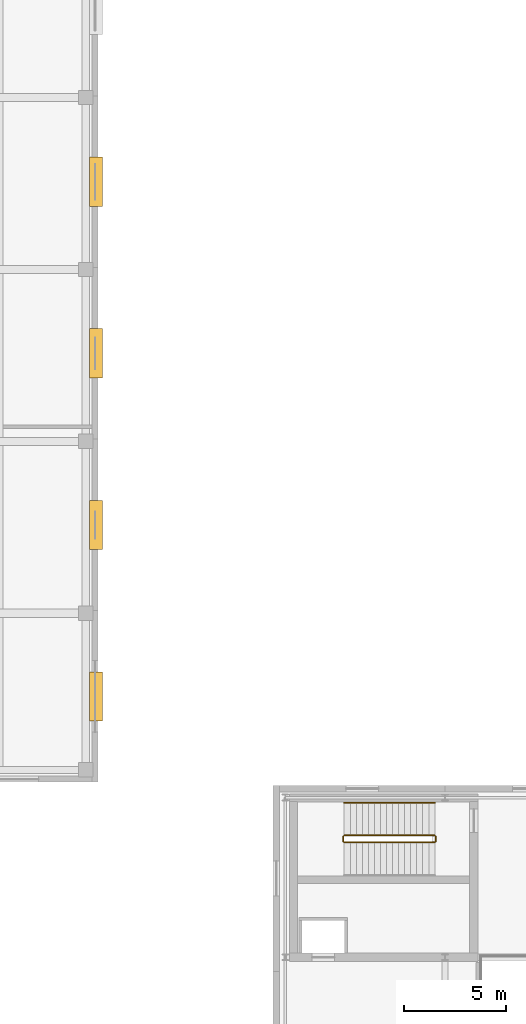
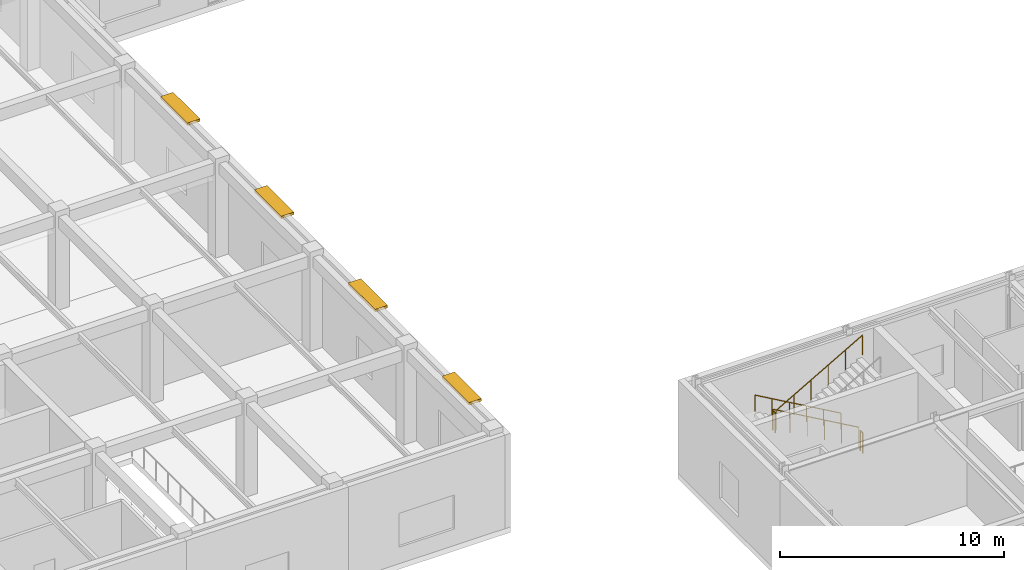
# One storey, part 136 of 139: 5 railings, 4 shading devices.
"""IFC4 building model written with IfcOpenShell, lengths in metres."""

from ifc_helpers import new_model, si_unit, direction, frame, origin, origin_2d, place, context, subcontext, project, spatial, rectangle, circle, extrude, material, type_object, element, save


model = new_model("IFC4")

# Units and contexts
model_context = context("Model", 3, precision=1e-05, world=origin(), true_north=direction((0.0, 1.0)))
body_context = subcontext(model_context, "Body", "Model", "MODEL_VIEW")
ifc_project = project(units=[si_unit("LENGTHUNIT", "METRE"), si_unit("AREAUNIT", "SQUARE_METRE"), si_unit("VOLUMEUNIT", "CUBIC_METRE"), si_unit("PLANEANGLEUNIT", "RADIAN"), si_unit("MASSUNIT", "GRAM", prefix="KILO")], contexts=[model_context])

# Site, building, storey
site_placement = place(None, origin())
site = spatial("IfcSite", under=ifc_project, at=site_placement, CompositionType="ELEMENT")
building_placement = place(site_placement, origin())
building = spatial("IfcBuilding", under=site, at=building_placement, Name="Zayran Congress Hotel", CompositionType="ELEMENT")
storey_placement = place(building_placement, frame((0.0, 0.0, 5.39990234375)))
storey = spatial("IfcBuildingStorey", under=building, at=storey_placement, Name="L01", CompositionType="ELEMENT", Elevation=5.39990234375)

# Shading devices
ifc_material_1 = material(Name="Precast concrete C40/50", Category="concrete")
shading_device_type = type_object("IfcShadingDeviceType", Name="TP-SHD-01", PredefinedType="JALOUSIE", material=ifc_material_1)
for number, where, z_axis, x_axis, name in (
    (1, (142.550048828125, 46.739990234375, 4.9599609375), (0.0, 0.0, 1.0), (0.0, 1.0, 0.0), "Precast Brise Soleil Louvre 1"),
    (2, (142.550048828125, 55.12109375, 4.9599609375), (0.0, 0.0, 1.0), (0.0, 1.0, 0.0), "Precast Brise Soleil Louvre 2"),
    (3, (142.550048828125, 63.5029296875, 4.9599609375), (0.0, 0.0, 1.0), (0.0, 1.0, 0.0), "Precast Brise Soleil Louvre 3"),
    (4, (142.550048828125, 71.885009765625, 4.9599609375), (0.0, 0.0, 1.0), (0.0, 1.0, 0.0), "Precast Brise Soleil Louvre 4"),
):
    element("IfcShadingDevice", number, at=place(storey_placement, frame(where, z_axis=z_axis, x_axis=x_axis)), inside=storey, type_object=shading_device_type, Name=name, PredefinedType="JALOUSIE", context=body_context, shape_type="SweptSolid", body=[
        extrude(rectangle(XDim=2.39990234375, YDim=0.64990234375, at=origin_2d()), origin(), (0.0, 0.0, 1.0), 0.139892578125),
    ])

# Railings
ifc_material_2 = material(Name="Painted steel balustrade", Category="steel")
railing_type_1 = type_object("IfcRailingType", Name="TP-GRD-INT", PredefinedType="GUARDRAIL", material=ifc_material_2)
railing_1_placement = place(storey_placement, frame((159.10009765625, 39.949951171875, 0.1689453125)))
element("IfcRailing", 5, at=railing_1_placement, inside=storey, type_object=railing_type_1, Name="L01 ST-11 stair guard 1", PredefinedType="GUARDRAIL", context=body_context, shape_type="SweptSolid", body=[
    extrude(circle(Radius=0.02392578125, at=origin_2d()), frame((0.0, 0.0, 1.076171875), z_axis=(-0.868019072493, 0.0, 0.49653085482), x_axis=(0.0, -1.0, 0.0)), (0.0, 0.0, 1.0), 5.097900390625),
    extrude(circle(Radius=0.02099609375, at=origin_2d()), origin(), (0.0, 0.0, 1.0), 1.052001953125),
    extrude(circle(Radius=0.02099609375, at=origin_2d()), frame((-0.885009765625, 0.0, 0.50634765625)), (0.0, 0.0, 1.0), 1.052001953125),
    extrude(circle(Radius=0.02099609375, at=origin_2d()), frame((-1.77001953125, 0.0, 1.012451171875)), (0.0, 0.0, 1.0), 1.052001953125),
    extrude(circle(Radius=0.02099609375, at=origin_2d()), frame((-2.655029296875, 0.0, 1.518798828125)), (0.0, 0.0, 1.0), 1.052001953125),
    extrude(circle(Radius=0.02099609375, at=origin_2d()), frame((-3.5400390625, 0.0, 2.02490234375)), (0.0, 0.0, 1.0), 1.052001953125),
    extrude(circle(Radius=0.02099609375, at=origin_2d()), frame((-4.425048828125, 0.0, 2.53125)), (0.0, 0.0, 1.0), 1.052001953125),
])
railing_2_placement = place(storey_placement, frame((154.625, 39.89990234375, 2.7001953125)))
element("IfcRailing", 6, at=railing_2_placement, inside=storey, type_object=railing_type_1, Name="L01 ST-11 stair guard 2", PredefinedType="GUARDRAIL", context=body_context, shape_type="SweptSolid", body=[
    extrude(circle(Radius=0.02392578125, at=origin_2d()), frame((0.0, 0.0, 1.076171875), z_axis=(0.0, -1.0, 0.0), x_axis=(1.0, 0.0, 0.0)), (0.0, 0.0, 1.0), 0.239990234375),
    extrude(circle(Radius=0.02099609375, at=origin_2d()), origin(), (0.0, 0.0, 1.0), 1.052001953125),
    extrude(circle(Radius=0.02099609375, at=origin_2d()), frame((0.0, -0.239990234375, 0.0)), (0.0, 0.0, 1.0), 1.052001953125),
])
railing_3_placement = place(storey_placement, frame((154.675048828125, 39.610107421875, 2.868896484375)))
element("IfcRailing", 7, at=railing_3_placement, inside=storey, type_object=railing_type_1, Name="L01 ST-11 stair guard 3", PredefinedType="GUARDRAIL", context=body_context, shape_type="SweptSolid", body=[
    extrude(circle(Radius=0.02392578125, at=origin_2d()), frame((0.0, 0.0, 1.076171875), z_axis=(0.868019072493, 0.0, 0.49653085482), x_axis=(0.0, 1.0, 0.0)), (0.0, 0.0, 1.0), 5.097900390625),
    extrude(circle(Radius=0.02099609375, at=origin_2d()), origin(), (0.0, 0.0, 1.0), 1.052001953125),
    extrude(circle(Radius=0.02099609375, at=origin_2d()), frame((0.885009765625, 0.0, 0.50634765625)), (0.0, 0.0, 1.0), 1.052001953125),
    extrude(circle(Radius=0.02099609375, at=origin_2d()), frame((1.77001953125, 0.0, 1.012451171875)), (0.0, 0.0, 1.0), 1.052001953125),
    extrude(circle(Radius=0.02099609375, at=origin_2d()), frame((2.655029296875, 0.0, 1.518798828125)), (0.0, 0.0, 1.0), 1.052001953125),
    extrude(circle(Radius=0.02099609375, at=origin_2d()), frame((3.5400390625, 0.0, 2.02490234375)), (0.0, 0.0, 1.0), 1.052001953125),
    extrude(circle(Radius=0.02099609375, at=origin_2d()), frame((4.425048828125, 0.0, 2.53125)), (0.0, 0.0, 1.0), 1.052001953125),
])
railing_4_placement = place(storey_placement, frame((159.14990234375, 39.89990234375, 0.0)))
element("IfcRailing", 8, at=railing_4_placement, inside=storey, type_object=railing_type_1, Name="L01 ST-11 stair guard 4", PredefinedType="GUARDRAIL", context=body_context, shape_type="SweptSolid", body=[
    extrude(circle(Radius=0.02392578125, at=origin_2d()), frame((0.0, 0.0, 1.076171875), z_axis=(0.0, -1.0, 0.0), x_axis=(1.0, 0.0, 0.0)), (0.0, 0.0, 1.0), 0.239990234375),
    extrude(circle(Radius=0.02099609375, at=origin_2d()), origin(), (0.0, 0.0, 1.0), 1.052001953125),
    extrude(circle(Radius=0.02099609375, at=origin_2d()), frame((0.0, -0.239990234375, 0.0)), (0.0, 0.0, 1.0), 1.052001953125),
])
ifc_material_3 = material(Name="Brushed stainless steel handrail", Category="steel")
railing_type_2 = type_object("IfcRailingType", Name="TP-HND-STR", PredefinedType="HANDRAIL", material=ifc_material_3)
railing_5_placement = place(storey_placement, frame((159.10009765625, 41.550048828125, 0.1689453125)))
element("IfcRailing", 9, at=railing_5_placement, inside=storey, type_object=railing_type_2, Name="L01 ST-11 stair handrail 1", PredefinedType="HANDRAIL", context=body_context, shape_type="SweptSolid", body=[
    extrude(circle(Radius=0.02392578125, at=origin_2d()), frame((0.0, 0.0, 0.8759765625), z_axis=(-0.868019072493, 0.0, 0.49653085482), x_axis=(0.0, -1.0, 0.0)), (0.0, 0.0, 1.0), 5.097900390625),
    extrude(circle(Radius=0.02099609375, at=origin_2d()), origin(), (0.0, 0.0, 1.0), 0.851806640625),
    extrude(circle(Radius=0.02099609375, at=origin_2d()), frame((-0.885009765625, 0.0, 0.50634765625)), (0.0, 0.0, 1.0), 0.851806640625),
    extrude(circle(Radius=0.02099609375, at=origin_2d()), frame((-1.77001953125, 0.0, 1.012451171875)), (0.0, 0.0, 1.0), 0.851806640625),
    extrude(circle(Radius=0.02099609375, at=origin_2d()), frame((-2.655029296875, 0.0, 1.518798828125)), (0.0, 0.0, 1.0), 0.851806640625),
    extrude(circle(Radius=0.02099609375, at=origin_2d()), frame((-3.5400390625, 0.0, 2.02490234375)), (0.0, 0.0, 1.0), 0.851806640625),
    extrude(circle(Radius=0.02099609375, at=origin_2d()), frame((-4.425048828125, 0.0, 2.53125)), (0.0, 0.0, 1.0), 0.851806640625),
])

save(model, "model.ifc")
